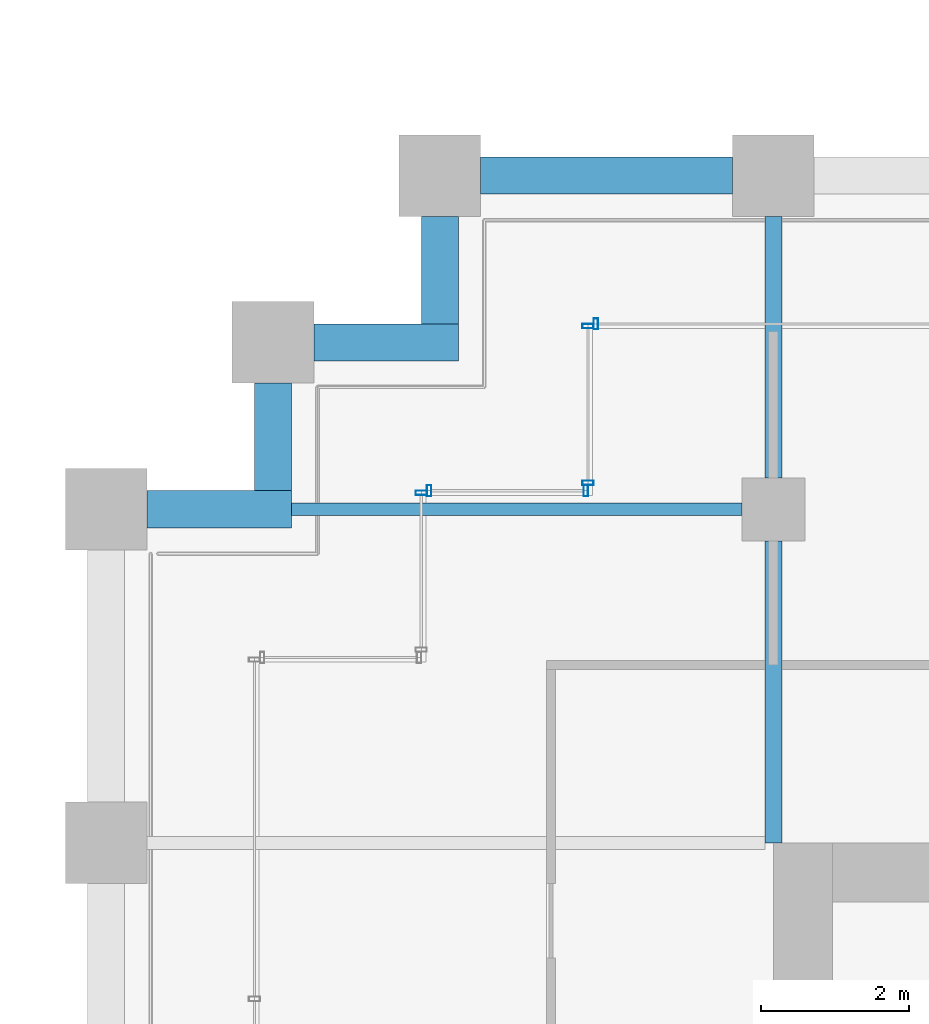
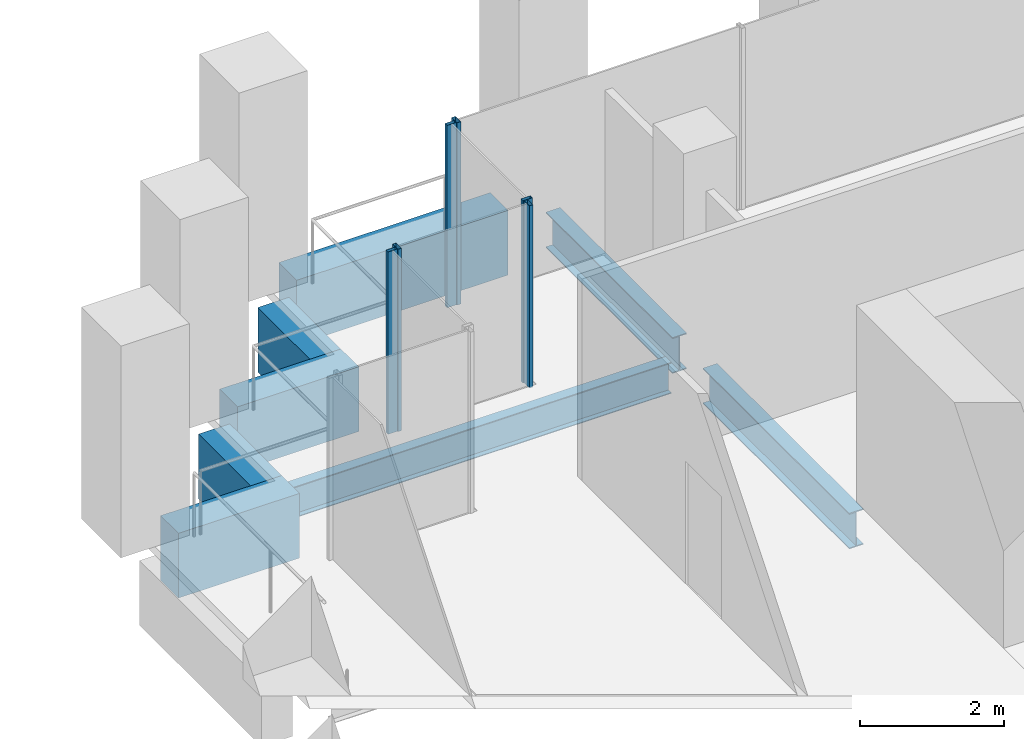
# One storey, part 41 of 56: 8 beams, 6 members, 4 elements without a shape of their own.
"""IFC4 building model written with IfcOpenShell, lengths in metres."""

from ifc_helpers import new_model, si_unit, direction, frame, origin, origin_2d, place, context, subcontext, project, spatial, rectangle, hollow_rectangle, i_section, extrude, material, material_profile, profile_set, type_object, element, aggregate, save


model = new_model("IFC4")

# Units and contexts
model_context = context("Model", 3, precision=1e-05, world=origin(), true_north=direction((0.0, 1.0)))
body_context = subcontext(model_context, "Body", "Model", "MODEL_VIEW")
ifc_project = project(units=[si_unit("LENGTHUNIT", "METRE"), si_unit("AREAUNIT", "SQUARE_METRE"), si_unit("VOLUMEUNIT", "CUBIC_METRE"), si_unit("PLANEANGLEUNIT", "RADIAN"), si_unit("MASSUNIT", "GRAM", prefix="KILO")], contexts=[model_context])

# Site, building, storey
site_placement = place(None, origin())
site = spatial("IfcSite", under=ifc_project, at=site_placement, CompositionType="ELEMENT")
building_placement = place(site_placement, origin())
building = spatial("IfcBuilding", under=site, at=building_placement, Name="Altepetl Exchange Towers", CompositionType="ELEMENT")
storey_placement = place(building_placement, frame((0.0, 0.0, 69.0)))
storey = spatial("IfcBuildingStorey", under=building, at=storey_placement, Name="L16", CompositionType="ELEMENT", Elevation=69.0)

# Beams
ifc_material_1 = material(Name="Steel S355", Category="steel")
ifc_material_profile_1 = material_profile(ifc_material_1, i_section(OverallWidth=0.166015625, OverallDepth=0.529052734375, WebThickness=0.009765625, FlangeThickness=0.013671875, at=origin_2d()), Name="W21X50")
ifc_profile_set_1 = profile_set([ifc_material_profile_1], Name="Steel S355")
beam_type_1 = type_object("IfcBeamType", Name="Floor beam W21X50", PredefinedType="BEAM", material=ifc_profile_set_1)
beam_1_placement = place(storey_placement, frame((97.0, 54.0, -0.41455078125), z_axis=(1.0, 0.0, 0.0), x_axis=(0.0, 1.0, 0.0)))
element("IfcBeam", 1, at=beam_1_placement, inside=storey, type_object=beam_type_1, Name="bm:B:L16:015", PredefinedType="BEAM", context=body_context, shape_type="SweptSolid", body=[
    extrude(i_section(OverallWidth=0.166015625, OverallDepth=0.529052734375, WebThickness=0.009765625, FlangeThickness=0.013671875, at=origin_2d()), origin(), (0.0, 0.0, 1.0), 6.074951171875),
])
ifc_material_profile_2 = material_profile(ifc_material_1, i_section(OverallWidth=0.22802734375, OverallDepth=0.60791015625, WebThickness=0.01123046875, FlangeThickness=0.017333984375, at=origin_2d()), Name="W24X76")
ifc_profile_set_2 = profile_set([ifc_material_profile_2], Name="Steel S355")
beam_type_2 = type_object("IfcBeamType", Name="Girder W24X76", PredefinedType="BEAM", material=ifc_profile_set_2)
beam_2_placement = place(storey_placement, frame((103.5, 57.949951171875, -0.4541015625), z_axis=(0.0, -1.0, 0.0), x_axis=(1.0, 0.0, 0.0)))
element("IfcBeam", 2, at=beam_2_placement, inside=storey, type_object=beam_type_2, Name="gd:B:L16:002", PredefinedType="BEAM", context=body_context, shape_type="SweptSolid", body=[
    extrude(i_section(OverallWidth=0.22802734375, OverallDepth=0.60791015625, WebThickness=0.01123046875, FlangeThickness=0.017333984375, at=origin_2d()), origin(), (0.0, 0.0, 1.0), 3.52490234375),
])
beam_3_placement = place(storey_placement, frame((103.5, 53.574951171875, -0.4541015625), z_axis=(0.0, -1.0, 0.0), x_axis=(1.0, 0.0, 0.0)))
element("IfcBeam", 3, at=beam_3_placement, inside=storey, type_object=beam_type_2, Name="gd:B:L16:003", PredefinedType="BEAM", context=body_context, shape_type="SweptSolid", body=[
    extrude(i_section(OverallWidth=0.22802734375, OverallDepth=0.60791015625, WebThickness=0.01123046875, FlangeThickness=0.017333984375, at=origin_2d()), origin(), (0.0, 0.0, 1.0), 4.074951171875),
])

# Curtain wall, member
ifc_material_2 = material(Name="Aluminium 6063-T6 glazing", Category="aluminium")
curtain_wall_type = type_object("IfcCurtainWallType", Name="Loggia glazing system", PredefinedType="NOTDEFINED", material=ifc_material_2)
curtain_wall_1_placement = place(storey_placement, origin())
curtain_wall_1 = element("IfcCurtainWall", 4, at=curtain_wall_1_placement, inside=storey, type_object=curtain_wall_type, Name="CW1 run", PredefinedType="NOTDEFINED")
ifc_material_3 = material(Name="Aluminium 6063-T6", Category="aluminium")
ifc_material_profile_3 = material_profile(ifc_material_3, hollow_rectangle(XDim=0.06005859375, YDim=0.14990234375, WallThickness=0.0029296875, at=origin_2d()), Name="Mullion 60x150 aluminium")
ifc_profile_set_3 = profile_set([ifc_material_profile_3], Name="Aluminium 6063-T6")
member_type = type_object("IfcMemberType", Name="Mullion 60x150 aluminium", PredefinedType="MULLION", material=ifc_profile_set_3)
member_1_placement = place(storey_placement, frame((101.10498046875, 56.5, 0.0), z_axis=(0.0, 0.0, 1.0), x_axis=(-1.0, 0.0, 0.0)))
member_1 = element("IfcMember", 5, at=member_1_placement, type_object=member_type, Name="MU1 mullion", PredefinedType="MULLION", context=body_context, shape_type="SweptSolid", body=[
    extrude(hollow_rectangle(XDim=0.06005859375, YDim=0.14990234375, WallThickness=0.0029296875, at=origin_2d()), origin(), (0.0, 0.0, 1.0), 3.10009765625),
])
aggregate(curtain_wall_1, [member_1])

# Curtain wall, members
curtain_wall_2_placement = place(storey_placement, origin())
curtain_wall_2 = element("IfcCurtainWall", 6, at=curtain_wall_2_placement, inside=storey, type_object=curtain_wall_type, Name="CW1 run", PredefinedType="NOTDEFINED")
member_2_placement = place(storey_placement, frame((101.0, 56.469970703125, 0.0), z_axis=(0.0, 0.0, 1.0), x_axis=(0.0, -1.0, 0.0)))
member_2 = element("IfcMember", 7, at=member_2_placement, type_object=member_type, Name="MU1 mullion", PredefinedType="MULLION", context=body_context, shape_type="SweptSolid", body=[
    extrude(hollow_rectangle(XDim=0.06005859375, YDim=0.14990234375, WallThickness=0.0029296875, at=origin_2d()), origin(), (0.0, 0.0, 1.0), 3.10009765625),
])
member_3_placement = place(storey_placement, frame((101.0, 54.35498046875, 0.0), z_axis=(0.0, 0.0, 1.0), x_axis=(0.0, -1.0, 0.0)))
member_3 = element("IfcMember", 8, at=member_3_placement, type_object=member_type, Name="MU1 mullion", PredefinedType="MULLION", context=body_context, shape_type="SweptSolid", body=[
    extrude(hollow_rectangle(XDim=0.06005859375, YDim=0.14990234375, WallThickness=0.0029296875, at=origin_2d()), origin(), (0.0, 0.0, 1.0), 3.10009765625),
])
aggregate(curtain_wall_2, [member_2, member_3])

curtain_wall_3_placement = place(storey_placement, origin())
curtain_wall_3 = element("IfcCurtainWall", 9, at=curtain_wall_3_placement, inside=storey, type_object=curtain_wall_type, Name="CW1 run", PredefinedType="NOTDEFINED")
member_4_placement = place(storey_placement, frame((100.969970703125, 54.25, 0.0), z_axis=(0.0, 0.0, 1.0), x_axis=(-1.0, 0.0, 0.0)))
member_4 = element("IfcMember", 10, at=member_4_placement, type_object=member_type, Name="MU1 mullion", PredefinedType="MULLION", context=body_context, shape_type="SweptSolid", body=[
    extrude(hollow_rectangle(XDim=0.06005859375, YDim=0.14990234375, WallThickness=0.0029296875, at=origin_2d()), origin(), (0.0, 0.0, 1.0), 3.10009765625),
])
member_5_placement = place(storey_placement, frame((98.85498046875, 54.25, 0.0), z_axis=(0.0, 0.0, 1.0), x_axis=(-1.0, 0.0, 0.0)))
member_5 = element("IfcMember", 11, at=member_5_placement, type_object=member_type, Name="MU1 mullion", PredefinedType="MULLION", context=body_context, shape_type="SweptSolid", body=[
    extrude(hollow_rectangle(XDim=0.06005859375, YDim=0.14990234375, WallThickness=0.0029296875, at=origin_2d()), origin(), (0.0, 0.0, 1.0), 3.10009765625),
])
aggregate(curtain_wall_3, [member_4, member_5])

# Curtain wall, member
curtain_wall_4_placement = place(storey_placement, origin())
curtain_wall_4 = element("IfcCurtainWall", 12, at=curtain_wall_4_placement, inside=storey, type_object=curtain_wall_type, Name="CW1 run", PredefinedType="NOTDEFINED")
member_6_placement = place(storey_placement, frame((98.75, 54.219970703125, 0.0), z_axis=(0.0, 0.0, 1.0), x_axis=(0.0, -1.0, 0.0)))
member_6 = element("IfcMember", 13, at=member_6_placement, type_object=member_type, Name="MU1 mullion", PredefinedType="MULLION", context=body_context, shape_type="SweptSolid", body=[
    extrude(hollow_rectangle(XDim=0.06005859375, YDim=0.14990234375, WallThickness=0.0029296875, at=origin_2d()), origin(), (0.0, 0.0, 1.0), 3.10009765625),
])
aggregate(curtain_wall_4, [member_6])

# Beams
ifc_material_4 = material(Name="Concrete C50/60 precast with cantera rosa facing", Category="concrete")
ifc_material_profile_4 = material_profile(ifc_material_4, rectangle(XDim=0.5, YDim=1.10009765625, at=origin_2d()), Name="500 x 1100")
ifc_profile_set_4 = profile_set([ifc_material_profile_4], Name="Concrete C50/60 precast with cantera rosa facing")
beam_type_3 = type_object("IfcBeamType", Name="Spandrel beam 500x1100 cantera rosa", PredefinedType="SPANDREL", material=ifc_profile_set_4)
beam_4_placement = place(storey_placement, frame((102.949951171875, 58.5, -0.699951171875), z_axis=(-1.0, 0.0, 0.0), x_axis=(0.0, -1.0, 0.0)))
element("IfcBeam", 14, at=beam_4_placement, inside=storey, type_object=beam_type_3, Name="sp:B:L16:022", PredefinedType="SPANDREL", context=body_context, shape_type="SweptSolid", body=[
    extrude(rectangle(XDim=0.5, YDim=1.10009765625, at=origin_2d()), origin(), (0.0, 0.0, 1.0), 3.39990234375),
])
beam_5_placement = place(storey_placement, frame((99.0, 57.949951171875, -0.699951171875), z_axis=(0.0, -1.0, 0.0), x_axis=(1.0, 0.0, 0.0)))
element("IfcBeam", 15, at=beam_5_placement, inside=storey, type_object=beam_type_3, Name="sp:B:L16:023", PredefinedType="SPANDREL", context=body_context, shape_type="SweptSolid", body=[
    extrude(rectangle(XDim=0.5, YDim=1.10009765625, at=origin_2d()), origin(), (0.0, 0.0, 1.0), 1.449951171875),
])
beam_6_placement = place(storey_placement, frame((99.25, 56.25, -0.699951171875), z_axis=(-1.0, 0.0, 0.0), x_axis=(0.0, -1.0, 0.0)))
element("IfcBeam", 16, at=beam_6_placement, inside=storey, type_object=beam_type_3, Name="sp:B:L16:024", PredefinedType="SPANDREL", context=body_context, shape_type="SweptSolid", body=[
    extrude(rectangle(XDim=0.5, YDim=1.10009765625, at=origin_2d()), origin(), (0.0, 0.0, 1.0), 1.949951171875),
])
beam_7_placement = place(storey_placement, frame((96.75, 55.699951171875, -0.699951171875), z_axis=(0.0, -1.0, 0.0), x_axis=(1.0, 0.0, 0.0)))
element("IfcBeam", 17, at=beam_7_placement, inside=storey, type_object=beam_type_3, Name="sp:B:L16:025", PredefinedType="SPANDREL", context=body_context, shape_type="SweptSolid", body=[
    extrude(rectangle(XDim=0.5, YDim=1.10009765625, at=origin_2d()), origin(), (0.0, 0.0, 1.0), 1.449951171875),
])
beam_8_placement = place(storey_placement, frame((97.0, 54.0, -0.699951171875), z_axis=(-1.0, 0.0, 0.0), x_axis=(0.0, -1.0, 0.0)))
element("IfcBeam", 18, at=beam_8_placement, inside=storey, type_object=beam_type_3, Name="sp:B:L16:026", PredefinedType="SPANDREL", context=body_context, shape_type="SweptSolid", body=[
    extrude(rectangle(XDim=0.5, YDim=1.10009765625, at=origin_2d()), origin(), (0.0, 0.0, 1.0), 1.949951171875),
])

save(model, "model.ifc")
